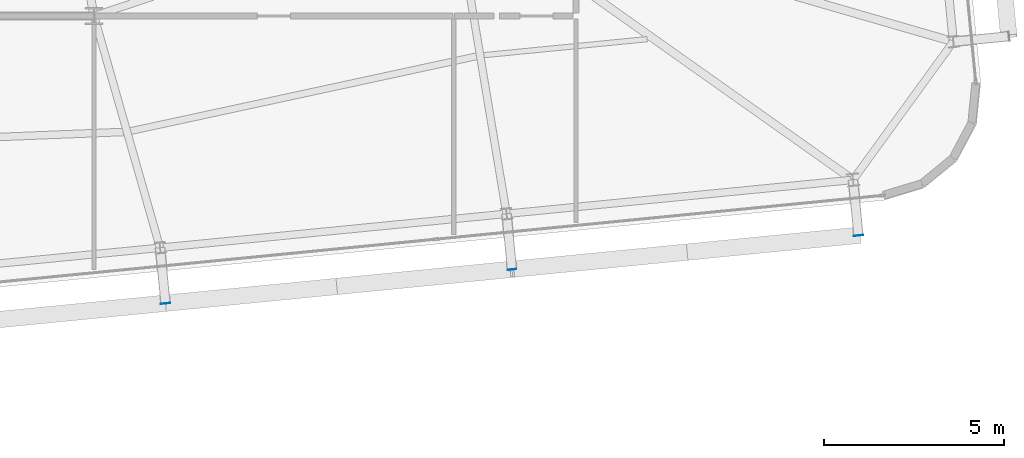
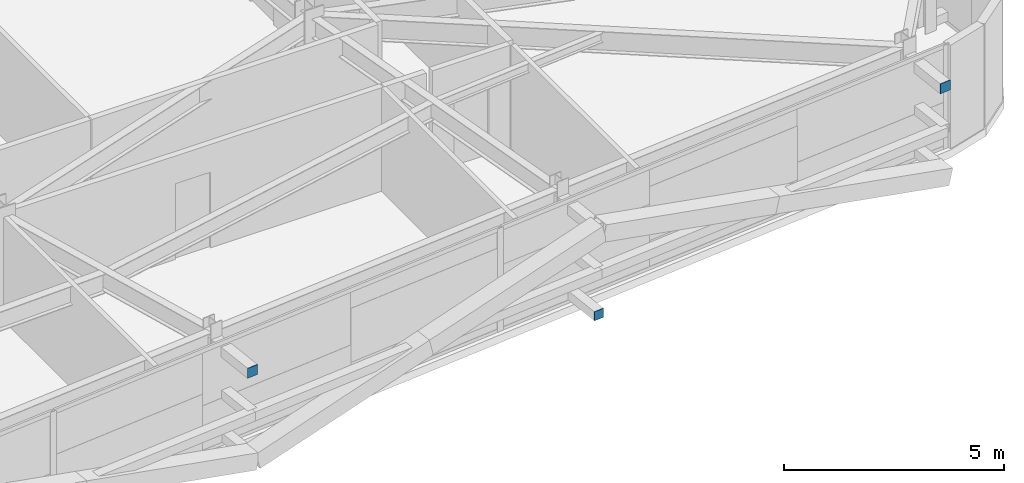
# One storey, part 36 of 47: 3 plates.
"""IFC4 building model written with IfcOpenShell, lengths in metres."""

import ifcopenshell
import ifcopenshell.guid

model = None  # the IFC model being written
_history = None  # IfcOwnerHistory: only IFC2X3 demands one
_inside = {}  # id of a spatial element -> (the spatial element, [elements in it])
_under = {}  # id of a project, library or spatial element -> (it, [spatial elements below it])
_declared = {}  # id of a project -> (the project, [libraries it declares])
_typed = {}  # id of a type object -> (the type object, [elements of that type])
_made_of = {}  # id of a material, layer set ... -> (it, [elements and type objects made of it])


def new_model(schema):
    """Start an empty IFC model of exactly this schema.

    Asked for "IFC4X3", IfcOpenShell would pick the latest addendum, in which some entities
    have other attributes; the version numbers below select the first issue.
    IFC2X3 requires an IfcOwnerHistory on every rooted entity: one is made here for all.
    """
    global model, _history
    if schema == "IFC4X3":
        model = ifcopenshell.file(schema_version=(4, 3, 0, 0))
    else:
        model = ifcopenshell.file(schema=schema)
    _inside.clear()
    _under.clear()
    _declared.clear()
    _typed.clear()
    _made_of.clear()
    _history = None
    if model.schema == "IFC2X3":
        org = make("IfcOrganization", Name="unknown")
        user = make(
            "IfcPersonAndOrganization",
            ThePerson=make("IfcPerson", FamilyName="unknown"),
            TheOrganization=org,
        )
        app = make(
            "IfcApplication",
            ApplicationDeveloper=org,
            Version="unknown",
            ApplicationFullName="unknown",
            ApplicationIdentifier="unknown",
        )
        _history = make(
            "IfcOwnerHistory",
            OwningUser=user,
            OwningApplication=app,
            ChangeAction="ADDED",
            CreationDate=0,
        )
    return model


def make(cls, **values):
    """One entity of the class cls with the attributes given. An attribute that is None is left unset."""
    return model.create_entity(
        cls, **{name: value for name, value in values.items() if value is not None}
    )


def rooted(cls, **values):
    """An entity with a GlobalId (a new one), such as an element, a storey or a relation."""
    return make(cls, GlobalId=ifcopenshell.guid.new(), OwnerHistory=_history, **values)


def si_unit(unit_type, name, prefix=None):
    """IfcSIUnit, for example si_unit("LENGTHUNIT", "METRE", prefix="MILLI")."""
    return make("IfcSIUnit", UnitType=unit_type, Prefix=prefix, Name=name)


def assignment(units):
    """IfcUnitAssignment: the units of a project."""
    return None if units is None else make("IfcUnitAssignment", Units=units)


def point(xyz):
    """IfcCartesianPoint."""
    return None if xyz is None else make("IfcCartesianPoint", Coordinates=xyz)


def direction(xyz):
    """IfcDirection."""
    return None if xyz is None else make("IfcDirection", DirectionRatios=xyz)


def frame(location, z_axis=None, x_axis=None):
    """IfcAxis2Placement3D, a coordinate frame: its origin and axes. An axis left out is left unset."""
    return make(
        "IfcAxis2Placement3D",
        Location=point(location),
        Axis=direction(z_axis),
        RefDirection=direction(x_axis),
    )


def frame_2d(location, x_axis=None):
    """IfcAxis2Placement2D, a coordinate frame in the plane: its origin and x axis."""
    return make(
        "IfcAxis2Placement2D", Location=point(location), RefDirection=direction(x_axis)
    )


def origin():
    """The frame at (0, 0, 0) with its axes left unset."""
    return frame((0.0, 0.0, 0.0))


def origin_2d():
    """The frame at (0, 0) in the plane with its x axis left unset."""
    return frame_2d((0.0, 0.0))


def place(relative_to, where):
    """IfcLocalPlacement: puts the frame where relative to a parent placement (None: the world)."""
    return make(
        "IfcLocalPlacement", PlacementRelTo=relative_to, RelativePlacement=where
    )


def context(
    kind, dimensions, precision=None, world=None, true_north=None, identifier=None
):
    """IfcGeometricRepresentationContext, for example the 3D "Model" context."""
    return make(
        "IfcGeometricRepresentationContext",
        ContextIdentifier=identifier,
        ContextType=kind,
        CoordinateSpaceDimension=dimensions,
        Precision=precision,
        WorldCoordinateSystem=world,
        TrueNorth=true_north,
    )


def subcontext(parent, identifier, kind, view, scale=None):
    """IfcGeometricRepresentationSubContext, for example "Body" below "Model"."""
    return make(
        "IfcGeometricRepresentationSubContext",
        ContextIdentifier=identifier,
        ContextType=kind,
        ParentContext=parent,
        TargetScale=scale,
        TargetView=view,
    )


def project(units=None, contexts=None):
    """IfcProject with its units and contexts."""
    return rooted(
        "IfcProject",
        Name="project",
        RepresentationContexts=contexts,
        UnitsInContext=assignment(units),
    )


def spatial(cls, under=None, at=None, **own):
    """A site, building, storey or space (cls), placed at a placement, below another one or the project."""
    s = rooted(cls, ObjectPlacement=at, **own)
    if under is not None:
        _under.setdefault(under.id(), (under, []))[1].append(s)
    return s


def profile(cls, at=None, kind="AREA", **sizes):
    """A parametric profile (cls). Its sizes go by their IFC names, for example OverallWidth=200.0."""
    return make(cls, ProfileType=kind, Position=at, **sizes)


def rectangle(**sizes):
    """IfcRectangleProfileDef."""
    return profile("IfcRectangleProfileDef", **sizes)


def extrude(swept, where, along, depth):
    """IfcExtrudedAreaSolid: the profile swept, set in the frame where, extruded along a direction by depth."""
    return make(
        "IfcExtrudedAreaSolid",
        SweptArea=swept,
        Position=where,
        ExtrudedDirection=direction(along),
        Depth=depth,
    )


def shape(context_of_items, identifier, shape_type, items):
    """IfcShapeRepresentation: the items that make up one representation, for example the "Body"."""
    return make(
        "IfcShapeRepresentation",
        ContextOfItems=context_of_items,
        RepresentationIdentifier=identifier,
        RepresentationType=shape_type,
        Items=items,
    )


def source(mapping_origin, context_of_items, identifier, shape_type, items):
    """IfcRepresentationMap: a shape defined once, which mapped items show again and again."""
    return make(
        "IfcRepresentationMap",
        MappingOrigin=mapping_origin,
        MappedRepresentation=shape(context_of_items, identifier, shape_type, items),
    )


def transform(
    local_origin,
    x_axis=None,
    y_axis=None,
    z_axis=None,
    scale=None,
    scale2=None,
    scale3=None,
    uniform=True,
):
    """IfcCartesianTransformationOperator3D, or its non-uniform kind. x_axis, y_axis, z_axis: its Axis1, 2, 3."""
    if uniform:
        return make(
            "IfcCartesianTransformationOperator3D",
            Axis1=direction(x_axis),
            Axis2=direction(y_axis),
            LocalOrigin=point(local_origin),
            Scale=scale,
            Axis3=direction(z_axis),
        )
    return make(
        "IfcCartesianTransformationOperator3DnonUniform",
        Axis1=direction(x_axis),
        Axis2=direction(y_axis),
        LocalOrigin=point(local_origin),
        Scale=scale,
        Axis3=direction(z_axis),
        Scale2=scale2,
        Scale3=scale3,
    )


def mapped(mapping_source, mapping_target):
    """IfcMappedItem: shows the shape of a source again, moved by a transform."""
    return make(
        "IfcMappedItem", MappingSource=mapping_source, MappingTarget=mapping_target
    )


def material(Name=None, Category=None):
    """IfcMaterial."""
    return make("IfcMaterial", Name=Name, Category=Category)


def layer(
    of_material, thickness, ventilated=None, Name=None, Category=None, Priority=None
):
    """IfcMaterialLayer: one layer of a wall or slab, of a material (None: an air gap)."""
    return make(
        "IfcMaterialLayer",
        Material=of_material,
        LayerThickness=thickness,
        IsVentilated=ventilated,
        Name=Name,
        Category=Category,
        Priority=Priority,
    )


def layer_set(layers, Name=None):
    """IfcMaterialLayerSet."""
    return make("IfcMaterialLayerSet", MaterialLayers=layers, LayerSetName=Name)


def made_of(thing, what):
    """Note that an element or type object is made of a material, layer set ...; save() writes the relation."""
    if what is not None:
        _made_of.setdefault(what.id(), (what, []))[1].append(thing)
    return thing


def type_object(cls, material=None, **own):
    """A type object (cls), such as IfcWallType, which elements share."""
    return made_of(rooted(cls, **own), material)


def element(
    cls,
    number,
    at=None,
    inside=None,
    cuts=None,
    type_object=None,
    material=None,
    context=None,
    identifier="Body",
    shape_type=None,
    held_by="IfcProductDefinitionShape",
    body=None,
    shapes=None,
    **own,
):
    """One element of the class cls, such as IfcWall. Its Tag is "e" and its number.

    at: its placement. inside: the storey or other place that contains it. cuts: it is an
    opening in that element (IfcRelVoidsElement). A single representation is given by context,
    identifier, shape_type and body (its items); several are given by shapes. held_by: the class
    of the entity that holds the representations. save() writes the other relations.
    """
    e = rooted(cls, Tag="e%d" % number, ObjectPlacement=at, **own)
    if body is not None:
        shapes = [shape(context, identifier, shape_type, body)]
    if shapes is not None:
        e.Representation = make(held_by, Representations=shapes)
    if inside is not None:
        _inside.setdefault(inside.id(), (inside, []))[1].append(e)
    if cuts is not None:
        rooted(
            "IfcRelVoidsElement", RelatingBuildingElement=cuts, RelatedOpeningElement=e
        )
    if type_object is not None:
        _typed.setdefault(type_object.id(), (type_object, []))[1].append(e)
    return made_of(e, material)


def aggregate(whole, parts):
    """IfcRelAggregates: a whole, such as a stair, and the parts it consists of."""
    return rooted("IfcRelAggregates", RelatingObject=whole, RelatedObjects=parts)


def save(model, path):
    """Write the relations noted so far, then the file.

    IfcRelAggregates (storeys below a building ...), IfcRelContainedInSpatialStructure (elements
    in a storey), IfcRelDefinesByType, IfcRelAssociatesMaterial and IfcRelDeclares: one each for
    every whole, place, type object, material and project.
    """
    for whole, parts in _under.values():
        aggregate(whole, parts)
    for where, things in _inside.values():
        rooted(
            "IfcRelContainedInSpatialStructure",
            RelatedElements=things,
            RelatingStructure=where,
        )
    for kind, things in _typed.values():
        rooted("IfcRelDefinesByType", RelatedObjects=things, RelatingType=kind)
    for what, things in _made_of.values():
        rooted("IfcRelAssociatesMaterial", RelatedObjects=things, RelatingMaterial=what)
    for by, libraries in _declared.values():
        rooted("IfcRelDeclares", RelatingContext=by, RelatedDefinitions=libraries)
    model.write(path)


model = new_model("IFC4")

# Units and contexts
model_context = context("Model", 3, precision=1e-05, world=origin(), true_north=direction((0.0, 1.0)))
body_context = subcontext(model_context, "Body", "Model", "MODEL_VIEW")
ifc_project = project(units=[si_unit("LENGTHUNIT", "METRE"), si_unit("AREAUNIT", "SQUARE_METRE"), si_unit("VOLUMEUNIT", "CUBIC_METRE"), si_unit("PLANEANGLEUNIT", "RADIAN"), si_unit("MASSUNIT", "GRAM", prefix="KILO")], contexts=[model_context])

# Site, building, storey
site_placement = place(None, origin())
site = spatial("IfcSite", under=ifc_project, at=site_placement, CompositionType="ELEMENT")
building_placement = place(site_placement, origin())
building = spatial("IfcBuilding", under=site, at=building_placement, Name="Taldren Reach Tower", CompositionType="ELEMENT")
storey_placement = place(building_placement, frame((0.0, 0.0, 109.199951171875)))
storey = spatial("IfcBuildingStorey", under=building, at=storey_placement, Name="L33", CompositionType="ELEMENT", Elevation=109.199951171875)

# Plates
ifc_material_1 = material(Name="Steel Gr 450 (C450L0)", Category="steel")
ifc_layer_1 = layer(ifc_material_1, 0.011962890625)
ifc_layer_set_1 = layer_set([ifc_layer_1], Name="Steel Gr 450 (C450L0)")
plate_type_1 = type_object("IfcPlateType", Name="PL-CAP-275", PredefinedType="SHEET", material=ifc_layer_set_1)
shared_shape_1 = source(origin(), body_context, "Body", "SweptSolid", [
    extrude(rectangle(XDim=0.27490234375, YDim=0.011962890625, at=origin_2d()), origin(), (0.0, 0.0, 1.0), 0.27490234375),
])
for number, where, z_axis, x_axis, name in (
    (1, (43.9873046875, 1.205322265625, 2.45263671875), (0.0, 0.0, 1.0), (0.995227399982, 0.097582899759, 0.0), "Tie strut end cap plate B2-S4 L33"),
    (2, (63.255126953125, 3.094482421875, 2.45263671875), (0.0, 0.0, 1.0), (0.995227399982, 0.097582899759, 0.0), "Tie strut end cap plate B2-S6 L33"),
):
    element("IfcPlate", number, at=place(storey_placement, frame(where, z_axis=z_axis, x_axis=x_axis)), inside=storey, type_object=plate_type_1, Name=name, PredefinedType="SHEET", context=body_context, shape_type="MappedRepresentation", body=[
        mapped(shared_shape_1, transform((0.0, 0.0, 0.0), scale=1.0)),
    ])
ifc_material_2 = material(Name="Steel Gr 350 (C350L0)", Category="steel")
ifc_layer_2 = layer(ifc_material_2, 0.011962890625)
ifc_layer_set_2 = layer_set([ifc_layer_2], Name="Steel Gr 350 (C350L0)")
plate_type_2 = type_object("IfcPlateType", Name="PL-CAP-250", PredefinedType="SHEET", material=ifc_layer_set_2)
shared_shape_2 = source(origin(), body_context, "Body", "SweptSolid", [
    extrude(rectangle(XDim=0.25, YDim=0.011962890625, at=origin_2d()), origin(), (0.0, 0.0, 1.0), 0.25),
])
plate_placement = place(storey_placement, frame((53.62109375, 2.14990234375, 0.094970703125), z_axis=(0.0, 0.0, 1.0), x_axis=(0.995227399982, 0.097582899759, 0.0)))
element("IfcPlate", 3, at=plate_placement, inside=storey, type_object=plate_type_2, Name="Tie strut end cap plate B2-S5 L33", PredefinedType="SHEET", context=body_context, shape_type="MappedRepresentation", body=[
    mapped(shared_shape_2, transform((0.0, 0.0, 0.0), scale=1.0)),
])

save(model, "model.ifc")
